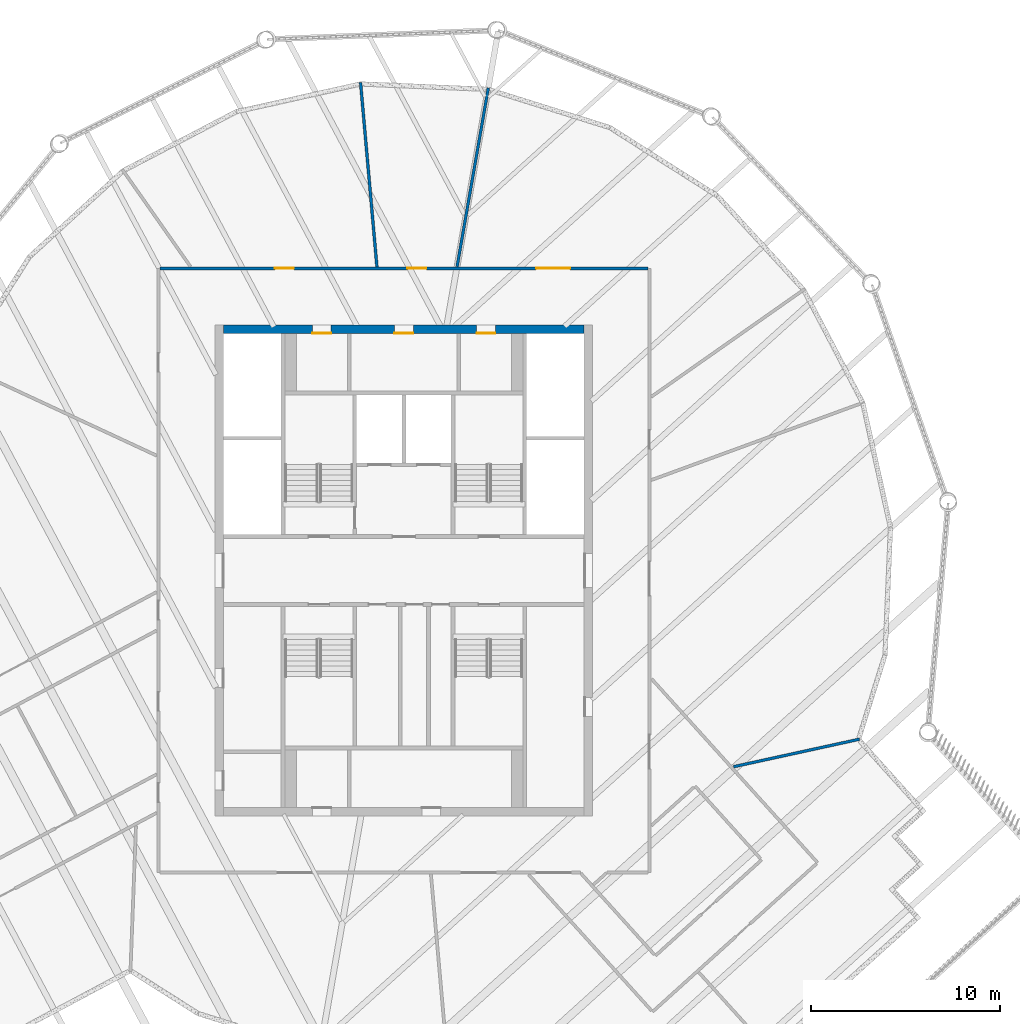
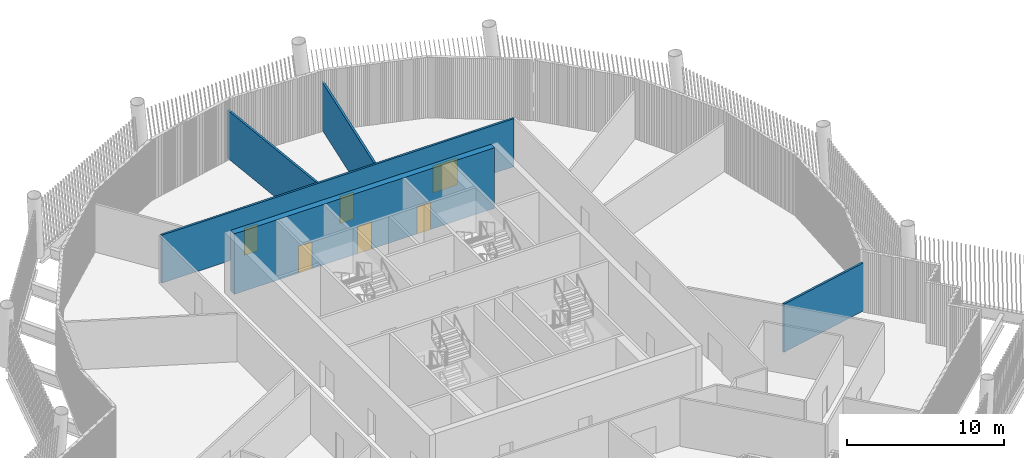
# One storey, part 5 of 21: 6 doors, 5 walls, 6 openings.
"""IFC4 building model written with IfcOpenShell, lengths in metres."""

from ifc_helpers import new_model, si_unit, direction, frame, frame_2d, origin, place, context, subcontext, project, spatial, rectangle, extrude, material, layer, layer_set, type_object, element, fill, save


model = new_model("IFC4")

# Units and contexts
model_context = context("Model", 3, precision=1e-05, world=origin(), true_north=direction((0.0, 1.0)))
body_context = subcontext(model_context, "Body", "Model", "MODEL_VIEW")
ifc_project = project(units=[si_unit("LENGTHUNIT", "METRE"), si_unit("AREAUNIT", "SQUARE_METRE"), si_unit("VOLUMEUNIT", "CUBIC_METRE"), si_unit("PLANEANGLEUNIT", "RADIAN"), si_unit("MASSUNIT", "GRAM", prefix="KILO")], contexts=[model_context])

# Site, building, storey
site_placement = place(None, origin())
site = spatial("IfcSite", under=ifc_project, at=site_placement, CompositionType="ELEMENT")
building_placement = place(site_placement, origin())
building = spatial("IfcBuilding", under=site, at=building_placement, Name="Tarsis Ring Headquarters", CompositionType="ELEMENT")
storey_placement = place(building_placement, frame((0.0, 0.0, 398.60009765625)))
storey = spatial("IfcBuildingStorey", under=building, at=storey_placement, Name="L94", CompositionType="ELEMENT", Elevation=398.60009765625)

# Wall, openings, doors
ifc_material_1 = material(Name="Concrete C50/60", Category="concrete")
ifc_layer_1 = layer(ifc_material_1, 0.449951171875)
ifc_layer_set_1 = layer_set([ifc_layer_1], Name="Core wall 450 C50/60")
wall_type_1 = type_object("IfcWallType", Name="Core wall 450 C50/60", PredefinedType="SHEAR", material=ifc_layer_set_1)
wall_1_placement = place(storey_placement, frame((-9.550048828125, 12.77490234375, 0.0), z_axis=(0.0, 0.0, 1.0), x_axis=(1.0, 0.0, 0.0)))
wall_1 = element("IfcWall", 1, at=wall_1_placement, inside=storey, type_object=wall_type_1, Name="Core wall ON", PredefinedType="SHEAR", context=body_context, shape_type="SweptSolid", body=[
    extrude(rectangle(XDim=19.10009765625, YDim=0.449951171875, at=frame_2d((9.550048828125, 0.0))), origin(), (0.0, 0.0, 1.0), 4.699951171875),
])
opening_1_placement = place(wall_1_placement, frame((4.699951171875, 0.0, 0.0)))
opening_1 = element("IfcOpeningElement", 2, at=opening_1_placement, cuts=wall_1, Name="Opening L94-C06", PredefinedType="OPENING", context=body_context, shape_type="SweptSolid", body=[
    extrude(rectangle(XDim=1.0, YDim=2.10009765625, at=frame_2d((0.5, 1.050048828125))), frame((0.0, 0.23486328125, 0.0), z_axis=(0.0, -1.0, 0.0), x_axis=(1.0, 0.0, 0.0)), (0.0, 0.0, 1.0), 0.469970703125),
])
opening_2_placement = place(wall_1_placement, frame((9.050048828125, 0.0, 0.0)))
opening_2 = element("IfcOpeningElement", 3, at=opening_2_placement, cuts=wall_1, Name="Opening L94-C07", PredefinedType="OPENING", context=body_context, shape_type="SweptSolid", body=[
    extrude(rectangle(XDim=1.0, YDim=2.10009765625, at=frame_2d((0.5, 1.050048828125))), frame((0.0, 0.23486328125, 0.0), z_axis=(0.0, -1.0, 0.0), x_axis=(1.0, 0.0, 0.0)), (0.0, 0.0, 1.0), 0.469970703125),
])
opening_3_placement = place(wall_1_placement, frame((13.39990234375, 0.0, 0.0)))
opening_3 = element("IfcOpeningElement", 4, at=opening_3_placement, cuts=wall_1, Name="Opening L94-C08", PredefinedType="OPENING", context=body_context, shape_type="SweptSolid", body=[
    extrude(rectangle(XDim=1.0, YDim=2.10009765625, at=frame_2d((0.5, 1.050048828125))), frame((0.0, 0.23486328125, 0.0), z_axis=(0.0, -1.0, 0.0), x_axis=(1.0, 0.0, 0.0)), (0.0, 0.0, 1.0), 0.469970703125),
])
ifc_material_2 = material(Name="Steel S355", Category="steel")
door_type_1 = type_object("IfcDoorType", Name="Core room door 1000x2100", OperationType="SINGLE_SWING_LEFT", PredefinedType="DOOR", material=ifc_material_2)
door_1_placement = place(opening_1_placement, origin())
door_1 = element("IfcDoor", 5, at=door_1_placement, inside=storey, type_object=door_type_1, Name="Core room door L94", OperationType="SINGLE_SWING_LEFT", OverallHeight=2.10009765625, OverallWidth=1.0, PredefinedType="DOOR", context=body_context, shape_type="SweptSolid", body=[
    extrude(rectangle(XDim=1.0, YDim=2.10009765625, at=frame_2d((0.5, 1.050048828125))), frame((0.0, -0.1748046875, 0.0), z_axis=(0.0, -1.0, 0.0), x_axis=(1.0, 0.0, 0.0)), (0.0, 0.0, 1.0), 0.050048828125),
])
fill(opening_1, door_1)
door_2_placement = place(opening_2_placement, origin())
door_2 = element("IfcDoor", 6, at=door_2_placement, inside=storey, type_object=door_type_1, Name="Core room door L94", OperationType="SINGLE_SWING_LEFT", OverallHeight=2.10009765625, OverallWidth=1.0, PredefinedType="DOOR", context=body_context, shape_type="SweptSolid", body=[
    extrude(rectangle(XDim=1.0, YDim=2.10009765625, at=frame_2d((0.5, 1.050048828125))), frame((0.0, -0.1748046875, 0.0), z_axis=(0.0, -1.0, 0.0), x_axis=(1.0, 0.0, 0.0)), (0.0, 0.0, 1.0), 0.050048828125),
])
fill(opening_2, door_2)
door_3_placement = place(opening_3_placement, origin())
door_3 = element("IfcDoor", 7, at=door_3_placement, inside=storey, type_object=door_type_1, Name="Core room door L94", OperationType="SINGLE_SWING_LEFT", OverallHeight=2.10009765625, OverallWidth=1.0, PredefinedType="DOOR", context=body_context, shape_type="SweptSolid", body=[
    extrude(rectangle(XDim=1.0, YDim=2.10009765625, at=frame_2d((0.5, 1.050048828125))), frame((0.0, -0.1748046875, 0.0), z_axis=(0.0, -1.0, 0.0), x_axis=(1.0, 0.0, 0.0)), (0.0, 0.0, 1.0), 0.050048828125),
])
fill(opening_3, door_3)

ifc_material_3 = material(Name="Gypsum board on steel studs", Category="steel")
ifc_layer_2 = layer(ifc_material_3, 0.14990234375)
ifc_layer_set_2 = layer_set([ifc_layer_2], Name="FL partition 150 EI 120 H3730")
wall_type_2 = type_object("IfcWallType", Name="FL partition 150 EI 120 H3730", PredefinedType="PARTITIONING", material=ifc_layer_set_2)
wall_2_placement = place(storey_placement, frame((-12.919921875, 16.0, 0.0), z_axis=(0.0, 0.0, 1.0), x_axis=(1.0, 0.0, 0.0)))
wall_2 = element("IfcWall", 8, at=wall_2_placement, inside=storey, type_object=wall_type_2, Name="Partition PW2H373", PredefinedType="PARTITIONING", context=body_context, shape_type="SweptSolid", body=[
    extrude(rectangle(XDim=25.83984375, YDim=0.14990234375, at=frame_2d((12.919921875, 0.0))), origin(), (0.0, 0.0, 1.0), 3.72998046875),
])
opening_4_placement = place(wall_2_placement, frame((6.090576171875, 0.0, 0.0)))
opening_4 = element("IfcOpeningElement", 9, at=opening_4_placement, cuts=wall_2, Name="Opening D94.05", PredefinedType="OPENING", context=body_context, shape_type="SweptSolid", body=[
    extrude(rectangle(XDim=1.0, YDim=2.10009765625, at=frame_2d((0.5, 1.050048828125))), frame((0.0, 0.0849609375, 0.0), z_axis=(0.0, -1.0, 0.0), x_axis=(1.0, 0.0, 0.0)), (0.0, 0.0, 1.0), 0.169921875),
])
opening_5_placement = place(wall_2_placement, frame((13.10791015625, 0.0, 0.0)))
opening_5 = element("IfcOpeningElement", 10, at=opening_5_placement, cuts=wall_2, Name="Opening D94.06", PredefinedType="OPENING", context=body_context, shape_type="SweptSolid", body=[
    extrude(rectangle(XDim=1.0, YDim=2.10009765625, at=frame_2d((0.5, 1.050048828125))), frame((0.0, 0.0849609375, 0.0), z_axis=(0.0, -1.0, 0.0), x_axis=(1.0, 0.0, 0.0)), (0.0, 0.0, 1.0), 0.169921875),
])
opening_6_placement = place(wall_2_placement, frame((19.919189453125, 0.0, 0.0)))
opening_6 = element("IfcOpeningElement", 11, at=opening_6_placement, cuts=wall_2, Name="Opening D94.07", PredefinedType="OPENING", context=body_context, shape_type="SweptSolid", body=[
    extrude(rectangle(XDim=1.800048828125, YDim=2.10009765625, at=frame_2d((0.89990234375, 1.050048828125))), frame((0.0, 0.0849609375, 0.0), z_axis=(0.0, -1.0, 0.0), x_axis=(1.0, 0.0, 0.0)), (0.0, 0.0, 1.0), 0.169921875),
])
ifc_material_4 = material(Name="Fire-rated timber door leaf in steel frame", Category="steel")
door_type_2 = type_object("IfcDoorType", Name="FL door FD120-1000", OperationType="NOTDEFINED", PredefinedType="DOOR", material=ifc_material_4)
door_4_placement = place(opening_4_placement, origin())
door_4 = element("IfcDoor", 12, at=door_4_placement, inside=storey, type_object=door_type_2, Name="Door D94.05", OperationType="SINGLE_SWING_LEFT", OverallHeight=2.10009765625, OverallWidth=1.0, PredefinedType="DOOR", context=body_context, shape_type="SweptSolid", body=[
    extrude(rectangle(XDim=1.0, YDim=2.10009765625, at=frame_2d((0.5, 1.050048828125))), frame((0.0, 0.02490234375, 0.0), z_axis=(0.0, -1.0, 0.0), x_axis=(1.0, 0.0, 0.0)), (0.0, 0.0, 1.0), 0.050048828125),
])
fill(opening_4, door_4)
door_5_placement = place(opening_5_placement, origin())
door_5 = element("IfcDoor", 13, at=door_5_placement, inside=storey, type_object=door_type_2, Name="Door D94.06", OperationType="SINGLE_SWING_RIGHT", OverallHeight=2.10009765625, OverallWidth=1.0, PredefinedType="DOOR", context=body_context, shape_type="SweptSolid", body=[
    extrude(rectangle(XDim=1.0, YDim=2.10009765625, at=frame_2d((0.5, 1.050048828125))), frame((0.0, 0.02490234375, 0.0), z_axis=(0.0, -1.0, 0.0), x_axis=(1.0, 0.0, 0.0)), (0.0, 0.0, 1.0), 0.050048828125),
])
fill(opening_5, door_5)
door_type_3 = type_object("IfcDoorType", Name="FL door FD120-1800", OperationType="DOUBLE_DOOR_SINGLE_SWING", PredefinedType="DOOR", material=ifc_material_4)
door_6_placement = place(opening_6_placement, origin())
door_6 = element("IfcDoor", 14, at=door_6_placement, inside=storey, type_object=door_type_3, Name="Door D94.07", OperationType="DOUBLE_DOOR_SINGLE_SWING", OverallHeight=2.10009765625, OverallWidth=1.800048828125, PredefinedType="DOOR", context=body_context, shape_type="SweptSolid", body=[
    extrude(rectangle(XDim=1.800048828125, YDim=2.10009765625, at=frame_2d((0.89990234375, 1.050048828125))), frame((0.0, 0.02490234375, 0.0), z_axis=(0.0, -1.0, 0.0), x_axis=(1.0, 0.0, 0.0)), (0.0, 0.0, 1.0), 0.050048828125),
])
fill(opening_6, door_6)

# Walls
wall_3_placement = place(storey_placement, frame((-2.297607421875, 25.845947265625, 0.0), z_axis=(0.0, 0.0, 1.0), x_axis=(0.088544182237, -0.996072250287, 0.0)))
element("IfcWall", 15, at=wall_3_placement, inside=storey, type_object=wall_type_2, Name="Partition PW2H373", PredefinedType="PARTITIONING", context=body_context, shape_type="SweptSolid", body=[
    extrude(rectangle(XDim=9.804931640625, YDim=0.14990234375, at=frame_2d((4.90234375, 0.0))), origin(), (0.0, 0.0, 1.0), 3.72998046875),
])
wall_4_placement = place(storey_placement, frame((2.813720703125, 16.088623046875, 0.0), z_axis=(0.0, 0.0, 1.0), x_axis=(0.17228301384, 0.985047492836, 0.0)))
element("IfcWall", 16, at=wall_4_placement, inside=storey, type_object=wall_type_2, Name="Partition PW2H373", PredefinedType="PARTITIONING", context=body_context, shape_type="SweptSolid", body=[
    extrude(rectangle(XDim=9.614990234375, YDim=0.14990234375, at=frame_2d((4.8076171875, 0.0))), origin(), (0.0, 0.0, 1.0), 3.72998046875),
])
wall_5_placement = place(storey_placement, frame((17.46044921875, -10.39111328125, 0.0), z_axis=(0.0, 0.0, 1.0), x_axis=(0.97693148953, 0.213552955412, 0.0)))
element("IfcWall", 17, at=wall_5_placement, inside=storey, type_object=wall_type_2, Name="Partition PW2H373", PredefinedType="PARTITIONING", context=body_context, shape_type="SweptSolid", body=[
    extrude(rectangle(XDim=6.82958984375, YDim=0.14990234375, at=frame_2d((3.414794921875, 0.0))), origin(), (0.0, 0.0, 1.0), 3.72998046875),
])

save(model, "model.ifc")
